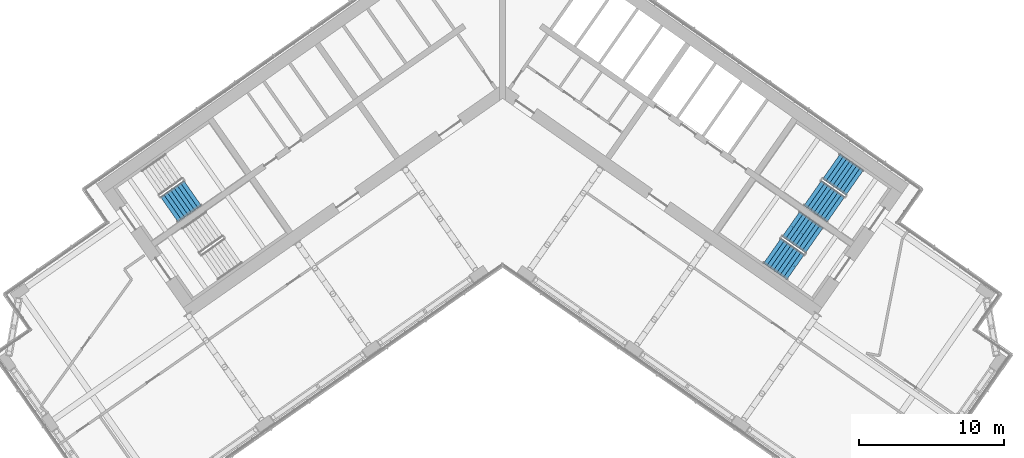
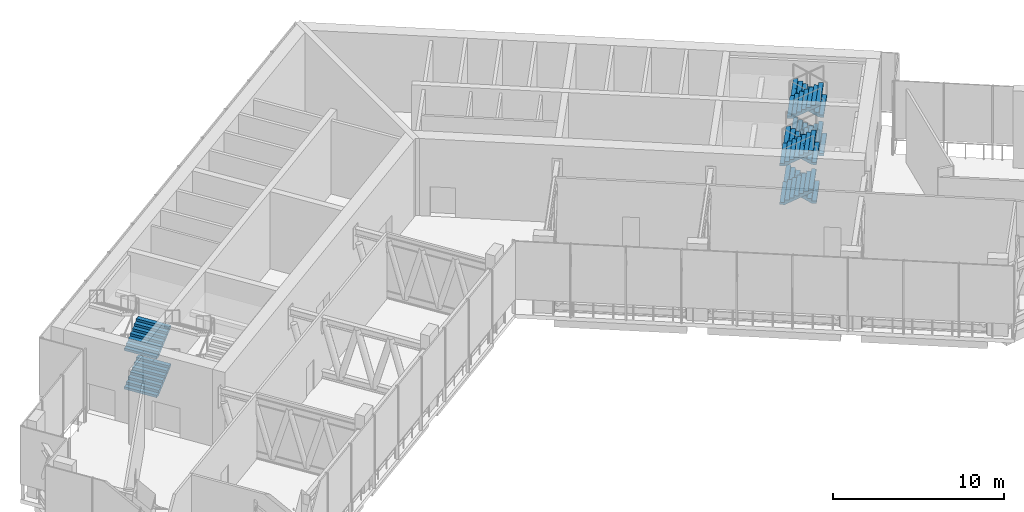
# One storey, part 7 of 19: 10 stair flights, 3 elements without a shape of their own.
"""IFC4 building model written with IfcOpenShell, lengths in metres."""

from ifc_helpers import new_model, si_unit, direction, frame, origin, place, context, subcontext, project, spatial, polyline, outline, extrude, material, type_object, element, aggregate, save


model = new_model("IFC4")

# Units and contexts
model_context = context("Model", 3, precision=1e-05, world=origin(), true_north=direction((0.0, 1.0)))
body_context = subcontext(model_context, "Body", "Model", "MODEL_VIEW")
ifc_project = project(units=[si_unit("LENGTHUNIT", "METRE"), si_unit("AREAUNIT", "SQUARE_METRE"), si_unit("VOLUMEUNIT", "CUBIC_METRE"), si_unit("PLANEANGLEUNIT", "RADIAN"), si_unit("MASSUNIT", "GRAM", prefix="KILO")], contexts=[model_context])

# Site, building, storey
site_placement = place(None, origin())
site = spatial("IfcSite", under=ifc_project, at=site_placement, CompositionType="ELEMENT")
building_placement = place(site_placement, origin())
building = spatial("IfcBuilding", under=site, at=building_placement, Name="Tel Ilan Convention Tower", CompositionType="ELEMENT")
storey_placement = place(building_placement, frame((0.0, 0.0, 213.89990234375)))
storey = spatial("IfcBuildingStorey", under=building, at=storey_placement, Name="L50", CompositionType="ELEMENT", Elevation=213.89990234375)

# Stair, stair flights
ifc_material_1 = material(Name="Concrete C40/50", Category="concrete")
stair_type = type_object("IfcStairType", Name="Pressurised Exit Stair 32 risers 172 mm", PredefinedType="HALF_TURN_STAIR", material=ifc_material_1)
stair_1_placement = place(storey_placement, origin())
stair_1 = element("IfcStair", 1, at=stair_1_placement, inside=storey, type_object=stair_type, Name="L50 Pressurised Stair S1", PredefinedType="HALF_TURN_STAIR")
ifc_material_2 = material(Name="Precast Concrete C40/50", Category="concrete")
stair_flight_type = type_object("IfcStairFlightType", Name="Concrete Stair Flight 2100 mm 32 risers 172 mm", PredefinedType="STRAIGHT", material=ifc_material_2)
stair_flight_1_placement = place(storey_placement, frame((-22.9619140625, -8.87548828125, 0.0), z_axis=(0.0, 0.0, 1.0), x_axis=(0.819152044289, 0.573576436351, 0.0)))
stair_flight_1 = element("IfcStairFlight", 2, at=stair_flight_1_placement, type_object=stair_flight_type, Name="S1 flight 1", NumberOfRisers=8, NumberOfTreads=7, PredefinedType="STRAIGHT", RiserHeight=0.171875, TreadLength=0.28, context=body_context, shape_type="SweptSolid", body=[
    extrude(outline(polyline([(0.0, 0.0), (0.0, 0.171875), (0.280029296875, 0.171875), (0.280029296875, 0.34375), (0.56005859375, 0.34375), (0.56005859375, 0.515625), (0.840087890625, 0.515625), (0.840087890625, 0.6875), (1.1201171875, 0.6875), (1.1201171875, 0.859375), (1.39990234375, 0.859375), (1.39990234375, 1.03125), (1.679931640625, 1.03125), (1.679931640625, 1.203125), (1.9599609375, 1.203125), (1.9599609375, 1.375), (1.9599609375, 1.02734375), (0.28662109375, 0.0), (0.0, 0.0)])), frame((0.0, -0.100341796875, 0.0), z_axis=(0.0, -1.0, 0.0), x_axis=(1.0, 0.0, 0.0)), (0.0, 0.0, 1.0), 0.94970703125),
    extrude(outline(polyline([(0.0, 0.0), (0.0, 0.171875), (0.280029296875, 0.171875), (0.280029296875, 0.34375), (0.56005859375, 0.34375), (0.56005859375, 0.515625), (0.840087890625, 0.515625), (0.840087890625, 0.6875), (1.1201171875, 0.6875), (1.1201171875, 0.859375), (1.39990234375, 0.859375), (1.39990234375, 1.03125), (1.679931640625, 1.03125), (1.679931640625, 1.203125), (1.9599609375, 1.203125), (1.9599609375, 1.375), (1.9599609375, 1.02734375), (0.28662109375, 0.0), (0.0, 0.0)])), frame((0.0, -0.000244140625, 0.0), z_axis=(0.0, -1.0, 0.0), x_axis=(1.0, 0.0, 0.0)), (0.0, 0.0, 1.0), 0.099609375),
    extrude(outline(polyline([(0.0, 0.0), (0.0, 0.171875), (0.280029296875, 0.171875), (0.280029296875, 0.34375), (0.56005859375, 0.34375), (0.56005859375, 0.515625), (0.840087890625, 0.515625), (0.840087890625, 0.6875), (1.1201171875, 0.6875), (1.1201171875, 0.859375), (1.39990234375, 0.859375), (1.39990234375, 1.03125), (1.679931640625, 1.03125), (1.679931640625, 1.203125), (1.9599609375, 1.203125), (1.9599609375, 1.375), (1.9599609375, 1.02734375), (0.28662109375, 0.0), (0.0, 0.0)])), frame((0.0, 0.099853515625, 0.0), z_axis=(0.0, -1.0, 0.0), x_axis=(1.0, 0.0, 0.0)), (0.0, 0.0, 1.0), 0.099609375),
    extrude(outline(polyline([(0.0, 0.0), (0.0, 0.171875), (0.280029296875, 0.171875), (0.280029296875, 0.34375), (0.56005859375, 0.34375), (0.56005859375, 0.515625), (0.840087890625, 0.515625), (0.840087890625, 0.6875), (1.1201171875, 0.6875), (1.1201171875, 0.859375), (1.39990234375, 0.859375), (1.39990234375, 1.03125), (1.679931640625, 1.03125), (1.679931640625, 1.203125), (1.9599609375, 1.203125), (1.9599609375, 1.375), (1.9599609375, 1.02734375), (0.28662109375, 0.0), (0.0, 0.0)])), frame((0.0, 1.050048828125, 0.0), z_axis=(0.0, -1.0, 0.0), x_axis=(1.0, 0.0, 0.0)), (0.0, 0.0, 1.0), 0.94970703125),
])
stair_flight_2_placement = place(storey_placement, frame((-22.9619140625, -8.87548828125, 2.75), z_axis=(0.0, 0.0, 1.0), x_axis=(0.819152044289, 0.573576436351, 0.0)))
stair_flight_2 = element("IfcStairFlight", 3, at=stair_flight_2_placement, type_object=stair_flight_type, Name="S1 flight 3", NumberOfRisers=8, NumberOfTreads=7, PredefinedType="STRAIGHT", RiserHeight=0.171875, TreadLength=0.28, context=body_context, shape_type="SweptSolid", body=[
    extrude(outline(polyline([(0.0, 0.0), (0.0, 0.171875), (0.280029296875, 0.171875), (0.280029296875, 0.34375), (0.56005859375, 0.34375), (0.56005859375, 0.515625), (0.840087890625, 0.515625), (0.840087890625, 0.6875), (1.1201171875, 0.6875), (1.1201171875, 0.859375), (1.39990234375, 0.859375), (1.39990234375, 1.03125), (1.679931640625, 1.03125), (1.679931640625, 1.203125), (1.9599609375, 1.203125), (1.9599609375, 1.375), (1.9599609375, 1.02734375), (0.28662109375, 0.0), (0.0, 0.0)])), frame((0.0, -0.100341796875, 0.0), z_axis=(0.0, -1.0, 0.0), x_axis=(1.0, 0.0, 0.0)), (0.0, 0.0, 1.0), 0.94970703125),
    extrude(outline(polyline([(0.0, 0.0), (0.0, 0.171875), (0.280029296875, 0.171875), (0.280029296875, 0.34375), (0.56005859375, 0.34375), (0.56005859375, 0.515625), (0.840087890625, 0.515625), (0.840087890625, 0.6875), (1.1201171875, 0.6875), (1.1201171875, 0.859375), (1.39990234375, 0.859375), (1.39990234375, 1.03125), (1.679931640625, 1.03125), (1.679931640625, 1.203125), (1.9599609375, 1.203125), (1.9599609375, 1.375), (1.9599609375, 1.02734375), (0.28662109375, 0.0), (0.0, 0.0)])), frame((0.0, -0.000244140625, 0.0), z_axis=(0.0, -1.0, 0.0), x_axis=(1.0, 0.0, 0.0)), (0.0, 0.0, 1.0), 0.099609375),
    extrude(outline(polyline([(0.0, 0.0), (0.0, 0.171875), (0.280029296875, 0.171875), (0.280029296875, 0.34375), (0.56005859375, 0.34375), (0.56005859375, 0.515625), (0.840087890625, 0.515625), (0.840087890625, 0.6875), (1.1201171875, 0.6875), (1.1201171875, 0.859375), (1.39990234375, 0.859375), (1.39990234375, 1.03125), (1.679931640625, 1.03125), (1.679931640625, 1.203125), (1.9599609375, 1.203125), (1.9599609375, 1.375), (1.9599609375, 1.02734375), (0.28662109375, 0.0), (0.0, 0.0)])), frame((0.0, 0.099853515625, 0.0), z_axis=(0.0, -1.0, 0.0), x_axis=(1.0, 0.0, 0.0)), (0.0, 0.0, 1.0), 0.099609375),
    extrude(outline(polyline([(0.0, 0.0), (0.0, 0.171875), (0.280029296875, 0.171875), (0.280029296875, 0.34375), (0.56005859375, 0.34375), (0.56005859375, 0.515625), (0.840087890625, 0.515625), (0.840087890625, 0.6875), (1.1201171875, 0.6875), (1.1201171875, 0.859375), (1.39990234375, 0.859375), (1.39990234375, 1.03125), (1.679931640625, 1.03125), (1.679931640625, 1.203125), (1.9599609375, 1.203125), (1.9599609375, 1.375), (1.9599609375, 1.02734375), (0.28662109375, 0.0), (0.0, 0.0)])), frame((0.0, 1.050048828125, 0.0), z_axis=(0.0, -1.0, 0.0), x_axis=(1.0, 0.0, 0.0)), (0.0, 0.0, 1.0), 0.94970703125),
])
aggregate(stair_1, [stair_flight_1, stair_flight_2])

stair_2_placement = place(storey_placement, origin())
stair_2 = element("IfcStair", 4, at=stair_2_placement, inside=storey, type_object=stair_type, Name="L50 Pressurised Stair S3", PredefinedType="HALF_TURN_STAIR")
stair_flight_3_placement = place(storey_placement, frame((24.25244140625, -7.032470703125, 0.0), z_axis=(0.0, 0.0, 1.0), x_axis=(-0.819152044289, 0.573576436351, 0.0)))
stair_flight_3 = element("IfcStairFlight", 5, at=stair_flight_3_placement, type_object=stair_flight_type, Name="S3 flight 1", NumberOfRisers=8, NumberOfTreads=7, PredefinedType="STRAIGHT", RiserHeight=0.171875, TreadLength=0.28, context=body_context, shape_type="SweptSolid", body=[
    extrude(outline(polyline([(0.0, 0.0), (0.0, 0.171875), (0.280029296875, 0.171875), (0.280029296875, 0.34375), (0.56005859375, 0.34375), (0.56005859375, 0.515625), (0.840087890625, 0.515625), (0.840087890625, 0.6875), (1.1201171875, 0.6875), (1.1201171875, 0.859375), (1.39990234375, 0.859375), (1.39990234375, 1.03125), (1.679931640625, 1.03125), (1.679931640625, 1.203125), (1.9599609375, 1.203125), (1.9599609375, 1.375), (1.9599609375, 1.02734375), (0.28662109375, 0.0), (0.0, 0.0)])), frame((0.0, -0.100341796875, 0.0), z_axis=(0.0, -1.0, 0.0), x_axis=(1.0, 0.0, 0.0)), (0.0, 0.0, 1.0), 0.94970703125),
    extrude(outline(polyline([(0.0, 0.0), (0.0, 0.171875), (0.280029296875, 0.171875), (0.280029296875, 0.34375), (0.56005859375, 0.34375), (0.56005859375, 0.515625), (0.840087890625, 0.515625), (0.840087890625, 0.6875), (1.1201171875, 0.6875), (1.1201171875, 0.859375), (1.39990234375, 0.859375), (1.39990234375, 1.03125), (1.679931640625, 1.03125), (1.679931640625, 1.203125), (1.9599609375, 1.203125), (1.9599609375, 1.375), (1.9599609375, 1.02734375), (0.28662109375, 0.0), (0.0, 0.0)])), frame((0.0, -0.000244140625, 0.0), z_axis=(0.0, -1.0, 0.0), x_axis=(1.0, 0.0, 0.0)), (0.0, 0.0, 1.0), 0.099609375),
    extrude(outline(polyline([(0.0, 0.0), (0.0, 0.171875), (0.280029296875, 0.171875), (0.280029296875, 0.34375), (0.56005859375, 0.34375), (0.56005859375, 0.515625), (0.840087890625, 0.515625), (0.840087890625, 0.6875), (1.1201171875, 0.6875), (1.1201171875, 0.859375), (1.39990234375, 0.859375), (1.39990234375, 1.03125), (1.679931640625, 1.03125), (1.679931640625, 1.203125), (1.9599609375, 1.203125), (1.9599609375, 1.375), (1.9599609375, 1.02734375), (0.28662109375, 0.0), (0.0, 0.0)])), frame((0.0, 0.099853515625, 0.0), z_axis=(0.0, -1.0, 0.0), x_axis=(1.0, 0.0, 0.0)), (0.0, 0.0, 1.0), 0.099609375),
    extrude(outline(polyline([(0.0, 0.0), (0.0, 0.171875), (0.280029296875, 0.171875), (0.280029296875, 0.34375), (0.56005859375, 0.34375), (0.56005859375, 0.515625), (0.840087890625, 0.515625), (0.840087890625, 0.6875), (1.1201171875, 0.6875), (1.1201171875, 0.859375), (1.39990234375, 0.859375), (1.39990234375, 1.03125), (1.679931640625, 1.03125), (1.679931640625, 1.203125), (1.9599609375, 1.203125), (1.9599609375, 1.375), (1.9599609375, 1.02734375), (0.28662109375, 0.0), (0.0, 0.0)])), frame((0.0, 1.050048828125, 0.0), z_axis=(0.0, -1.0, 0.0), x_axis=(1.0, 0.0, 0.0)), (0.0, 0.0, 1.0), 0.94970703125),
])
stair_flight_4_placement = place(storey_placement, frame((21.356201171875, -7.751220703125, 1.375), z_axis=(0.0, 0.0, 1.0), x_axis=(0.819152044289, -0.573576436351, 0.0)))
stair_flight_4 = element("IfcStairFlight", 6, at=stair_flight_4_placement, type_object=stair_flight_type, Name="S3 flight 2", NumberOfRisers=8, NumberOfTreads=7, PredefinedType="STRAIGHT", RiserHeight=0.171875, TreadLength=0.28, context=body_context, shape_type="SweptSolid", body=[
    extrude(outline(polyline([(0.0, 0.0), (0.0, 0.171875), (0.280029296875, 0.171875), (0.280029296875, 0.34375), (0.56005859375, 0.34375), (0.56005859375, 0.515625), (0.840087890625, 0.515625), (0.840087890625, 0.6875), (1.1201171875, 0.6875), (1.1201171875, 0.859375), (1.39990234375, 0.859375), (1.39990234375, 1.03125), (1.679931640625, 1.03125), (1.679931640625, 1.203125), (1.9599609375, 1.203125), (1.9599609375, 1.375), (1.9599609375, 1.02734375), (0.28662109375, 0.0), (0.0, 0.0)])), frame((0.0, -0.100341796875, 0.0), z_axis=(0.0, -1.0, 0.0), x_axis=(1.0, 0.0, 0.0)), (0.0, 0.0, 1.0), 0.94970703125),
    extrude(outline(polyline([(0.0, 0.0), (0.0, 0.171875), (0.280029296875, 0.171875), (0.280029296875, 0.34375), (0.56005859375, 0.34375), (0.56005859375, 0.515625), (0.840087890625, 0.515625), (0.840087890625, 0.6875), (1.1201171875, 0.6875), (1.1201171875, 0.859375), (1.39990234375, 0.859375), (1.39990234375, 1.03125), (1.679931640625, 1.03125), (1.679931640625, 1.203125), (1.9599609375, 1.203125), (1.9599609375, 1.375), (1.9599609375, 1.02734375), (0.28662109375, 0.0), (0.0, 0.0)])), frame((0.0, -0.000244140625, 0.0), z_axis=(0.0, -1.0, 0.0), x_axis=(1.0, 0.0, 0.0)), (0.0, 0.0, 1.0), 0.099609375),
    extrude(outline(polyline([(0.0, 0.0), (0.0, 0.171875), (0.280029296875, 0.171875), (0.280029296875, 0.34375), (0.56005859375, 0.34375), (0.56005859375, 0.515625), (0.840087890625, 0.515625), (0.840087890625, 0.6875), (1.1201171875, 0.6875), (1.1201171875, 0.859375), (1.39990234375, 0.859375), (1.39990234375, 1.03125), (1.679931640625, 1.03125), (1.679931640625, 1.203125), (1.9599609375, 1.203125), (1.9599609375, 1.375), (1.9599609375, 1.02734375), (0.28662109375, 0.0), (0.0, 0.0)])), frame((0.0, 0.099853515625, 0.0), z_axis=(0.0, -1.0, 0.0), x_axis=(1.0, 0.0, 0.0)), (0.0, 0.0, 1.0), 0.099609375),
    extrude(outline(polyline([(0.0, 0.0), (0.0, 0.171875), (0.280029296875, 0.171875), (0.280029296875, 0.34375), (0.56005859375, 0.34375), (0.56005859375, 0.515625), (0.840087890625, 0.515625), (0.840087890625, 0.6875), (1.1201171875, 0.6875), (1.1201171875, 0.859375), (1.39990234375, 0.859375), (1.39990234375, 1.03125), (1.679931640625, 1.03125), (1.679931640625, 1.203125), (1.9599609375, 1.203125), (1.9599609375, 1.375), (1.9599609375, 1.02734375), (0.28662109375, 0.0), (0.0, 0.0)])), frame((0.0, 1.050048828125, 0.0), z_axis=(0.0, -1.0, 0.0), x_axis=(1.0, 0.0, 0.0)), (0.0, 0.0, 1.0), 0.94970703125),
])
stair_flight_5_placement = place(storey_placement, frame((24.25244140625, -7.032470703125, 2.75), z_axis=(0.0, 0.0, 1.0), x_axis=(-0.819152044289, 0.573576436351, 0.0)))
stair_flight_5 = element("IfcStairFlight", 7, at=stair_flight_5_placement, type_object=stair_flight_type, Name="S3 flight 3", NumberOfRisers=8, NumberOfTreads=7, PredefinedType="STRAIGHT", RiserHeight=0.171875, TreadLength=0.28, context=body_context, shape_type="SweptSolid", body=[
    extrude(outline(polyline([(0.0, 0.0), (0.0, 0.171875), (0.280029296875, 0.171875), (0.280029296875, 0.34375), (0.56005859375, 0.34375), (0.56005859375, 0.515625), (0.840087890625, 0.515625), (0.840087890625, 0.6875), (1.1201171875, 0.6875), (1.1201171875, 0.859375), (1.39990234375, 0.859375), (1.39990234375, 1.03125), (1.679931640625, 1.03125), (1.679931640625, 1.203125), (1.9599609375, 1.203125), (1.9599609375, 1.375), (1.9599609375, 1.02734375), (0.28662109375, 0.0), (0.0, 0.0)])), frame((0.0, -0.100341796875, 0.0), z_axis=(0.0, -1.0, 0.0), x_axis=(1.0, 0.0, 0.0)), (0.0, 0.0, 1.0), 0.94970703125),
    extrude(outline(polyline([(0.0, 0.0), (0.0, 0.171875), (0.280029296875, 0.171875), (0.280029296875, 0.34375), (0.56005859375, 0.34375), (0.56005859375, 0.515625), (0.840087890625, 0.515625), (0.840087890625, 0.6875), (1.1201171875, 0.6875), (1.1201171875, 0.859375), (1.39990234375, 0.859375), (1.39990234375, 1.03125), (1.679931640625, 1.03125), (1.679931640625, 1.203125), (1.9599609375, 1.203125), (1.9599609375, 1.375), (1.9599609375, 1.02734375), (0.28662109375, 0.0), (0.0, 0.0)])), frame((0.0, -0.000244140625, 0.0), z_axis=(0.0, -1.0, 0.0), x_axis=(1.0, 0.0, 0.0)), (0.0, 0.0, 1.0), 0.099609375),
    extrude(outline(polyline([(0.0, 0.0), (0.0, 0.171875), (0.280029296875, 0.171875), (0.280029296875, 0.34375), (0.56005859375, 0.34375), (0.56005859375, 0.515625), (0.840087890625, 0.515625), (0.840087890625, 0.6875), (1.1201171875, 0.6875), (1.1201171875, 0.859375), (1.39990234375, 0.859375), (1.39990234375, 1.03125), (1.679931640625, 1.03125), (1.679931640625, 1.203125), (1.9599609375, 1.203125), (1.9599609375, 1.375), (1.9599609375, 1.02734375), (0.28662109375, 0.0), (0.0, 0.0)])), frame((0.0, 0.099853515625, 0.0), z_axis=(0.0, -1.0, 0.0), x_axis=(1.0, 0.0, 0.0)), (0.0, 0.0, 1.0), 0.099609375),
    extrude(outline(polyline([(0.0, 0.0), (0.0, 0.171875), (0.280029296875, 0.171875), (0.280029296875, 0.34375), (0.56005859375, 0.34375), (0.56005859375, 0.515625), (0.840087890625, 0.515625), (0.840087890625, 0.6875), (1.1201171875, 0.6875), (1.1201171875, 0.859375), (1.39990234375, 0.859375), (1.39990234375, 1.03125), (1.679931640625, 1.03125), (1.679931640625, 1.203125), (1.9599609375, 1.203125), (1.9599609375, 1.375), (1.9599609375, 1.02734375), (0.28662109375, 0.0), (0.0, 0.0)])), frame((0.0, 1.050048828125, 0.0), z_axis=(0.0, -1.0, 0.0), x_axis=(1.0, 0.0, 0.0)), (0.0, 0.0, 1.0), 0.94970703125),
])
stair_flight_6_placement = place(storey_placement, frame((21.356201171875, -7.751220703125, 4.125), z_axis=(0.0, 0.0, 1.0), x_axis=(0.819152044289, -0.573576436351, 0.0)))
stair_flight_6 = element("IfcStairFlight", 8, at=stair_flight_6_placement, type_object=stair_flight_type, Name="S3 flight 4", NumberOfRisers=8, NumberOfTreads=7, PredefinedType="STRAIGHT", RiserHeight=0.171875, TreadLength=0.28, context=body_context, shape_type="SweptSolid", body=[
    extrude(outline(polyline([(0.0, 0.0), (0.0, 0.171875), (0.280029296875, 0.171875), (0.280029296875, 0.34375), (0.56005859375, 0.34375), (0.56005859375, 0.515625), (0.840087890625, 0.515625), (0.840087890625, 0.6875), (1.1201171875, 0.6875), (1.1201171875, 0.859375), (1.39990234375, 0.859375), (1.39990234375, 1.03125), (1.679931640625, 1.03125), (1.679931640625, 1.203125), (1.9599609375, 1.203125), (1.9599609375, 1.375), (1.9599609375, 1.02734375), (0.28662109375, 0.0), (0.0, 0.0)])), frame((0.0, -0.100341796875, 0.0), z_axis=(0.0, -1.0, 0.0), x_axis=(1.0, 0.0, 0.0)), (0.0, 0.0, 1.0), 0.94970703125),
    extrude(outline(polyline([(0.0, 0.0), (0.0, 0.171875), (0.280029296875, 0.171875), (0.280029296875, 0.34375), (0.56005859375, 0.34375), (0.56005859375, 0.515625), (0.840087890625, 0.515625), (0.840087890625, 0.6875), (1.1201171875, 0.6875), (1.1201171875, 0.859375), (1.39990234375, 0.859375), (1.39990234375, 1.03125), (1.679931640625, 1.03125), (1.679931640625, 1.203125), (1.9599609375, 1.203125), (1.9599609375, 1.375), (1.9599609375, 1.02734375), (0.28662109375, 0.0), (0.0, 0.0)])), frame((0.0, -0.000244140625, 0.0), z_axis=(0.0, -1.0, 0.0), x_axis=(1.0, 0.0, 0.0)), (0.0, 0.0, 1.0), 0.099609375),
    extrude(outline(polyline([(0.0, 0.0), (0.0, 0.171875), (0.280029296875, 0.171875), (0.280029296875, 0.34375), (0.56005859375, 0.34375), (0.56005859375, 0.515625), (0.840087890625, 0.515625), (0.840087890625, 0.6875), (1.1201171875, 0.6875), (1.1201171875, 0.859375), (1.39990234375, 0.859375), (1.39990234375, 1.03125), (1.679931640625, 1.03125), (1.679931640625, 1.203125), (1.9599609375, 1.203125), (1.9599609375, 1.375), (1.9599609375, 1.02734375), (0.28662109375, 0.0), (0.0, 0.0)])), frame((0.0, 0.099853515625, 0.0), z_axis=(0.0, -1.0, 0.0), x_axis=(1.0, 0.0, 0.0)), (0.0, 0.0, 1.0), 0.099609375),
    extrude(outline(polyline([(0.0, 0.0), (0.0, 0.171875), (0.280029296875, 0.171875), (0.280029296875, 0.34375), (0.56005859375, 0.34375), (0.56005859375, 0.515625), (0.840087890625, 0.515625), (0.840087890625, 0.6875), (1.1201171875, 0.6875), (1.1201171875, 0.859375), (1.39990234375, 0.859375), (1.39990234375, 1.03125), (1.679931640625, 1.03125), (1.679931640625, 1.203125), (1.9599609375, 1.203125), (1.9599609375, 1.375), (1.9599609375, 1.02734375), (0.28662109375, 0.0), (0.0, 0.0)])), frame((0.0, 1.050048828125, 0.0), z_axis=(0.0, -1.0, 0.0), x_axis=(1.0, 0.0, 0.0)), (0.0, 0.0, 1.0), 0.94970703125),
])
aggregate(stair_2, [stair_flight_3, stair_flight_4, stair_flight_5, stair_flight_6])

stair_3_placement = place(storey_placement, origin())
stair_3 = element("IfcStair", 9, at=stair_3_placement, inside=storey, type_object=stair_type, Name="L50 Pressurised Stair S4", PredefinedType="HALF_TURN_STAIR")
stair_flight_7_placement = place(storey_placement, frame((21.470458984375, -11.00537109375, 0.0), z_axis=(0.0, 0.0, 1.0), x_axis=(-0.819152044289, 0.573576436351, 0.0)))
stair_flight_7 = element("IfcStairFlight", 10, at=stair_flight_7_placement, type_object=stair_flight_type, Name="S4 flight 1", NumberOfRisers=8, NumberOfTreads=7, PredefinedType="STRAIGHT", RiserHeight=0.171875, TreadLength=0.28, context=body_context, shape_type="SweptSolid", body=[
    extrude(outline(polyline([(0.0, 0.0), (0.0, 0.171875), (0.280029296875, 0.171875), (0.280029296875, 0.34375), (0.56005859375, 0.34375), (0.56005859375, 0.515625), (0.840087890625, 0.515625), (0.840087890625, 0.6875), (1.1201171875, 0.6875), (1.1201171875, 0.859375), (1.39990234375, 0.859375), (1.39990234375, 1.03125), (1.679931640625, 1.03125), (1.679931640625, 1.203125), (1.9599609375, 1.203125), (1.9599609375, 1.375), (1.9599609375, 1.02734375), (0.28662109375, 0.0), (0.0, 0.0)])), frame((0.0, -0.100341796875, 0.0), z_axis=(0.0, -1.0, 0.0), x_axis=(1.0, 0.0, 0.0)), (0.0, 0.0, 1.0), 0.94970703125),
    extrude(outline(polyline([(0.0, 0.0), (0.0, 0.171875), (0.280029296875, 0.171875), (0.280029296875, 0.34375), (0.56005859375, 0.34375), (0.56005859375, 0.515625), (0.840087890625, 0.515625), (0.840087890625, 0.6875), (1.1201171875, 0.6875), (1.1201171875, 0.859375), (1.39990234375, 0.859375), (1.39990234375, 1.03125), (1.679931640625, 1.03125), (1.679931640625, 1.203125), (1.9599609375, 1.203125), (1.9599609375, 1.375), (1.9599609375, 1.02734375), (0.28662109375, 0.0), (0.0, 0.0)])), frame((0.0, -0.000244140625, 0.0), z_axis=(0.0, -1.0, 0.0), x_axis=(1.0, 0.0, 0.0)), (0.0, 0.0, 1.0), 0.099609375),
    extrude(outline(polyline([(0.0, 0.0), (0.0, 0.171875), (0.280029296875, 0.171875), (0.280029296875, 0.34375), (0.56005859375, 0.34375), (0.56005859375, 0.515625), (0.840087890625, 0.515625), (0.840087890625, 0.6875), (1.1201171875, 0.6875), (1.1201171875, 0.859375), (1.39990234375, 0.859375), (1.39990234375, 1.03125), (1.679931640625, 1.03125), (1.679931640625, 1.203125), (1.9599609375, 1.203125), (1.9599609375, 1.375), (1.9599609375, 1.02734375), (0.28662109375, 0.0), (0.0, 0.0)])), frame((0.0, 0.099853515625, 0.0), z_axis=(0.0, -1.0, 0.0), x_axis=(1.0, 0.0, 0.0)), (0.0, 0.0, 1.0), 0.099609375),
    extrude(outline(polyline([(0.0, 0.0), (0.0, 0.171875), (0.280029296875, 0.171875), (0.280029296875, 0.34375), (0.56005859375, 0.34375), (0.56005859375, 0.515625), (0.840087890625, 0.515625), (0.840087890625, 0.6875), (1.1201171875, 0.6875), (1.1201171875, 0.859375), (1.39990234375, 0.859375), (1.39990234375, 1.03125), (1.679931640625, 1.03125), (1.679931640625, 1.203125), (1.9599609375, 1.203125), (1.9599609375, 1.375), (1.9599609375, 1.02734375), (0.28662109375, 0.0), (0.0, 0.0)])), frame((0.0, 1.050048828125, 0.0), z_axis=(0.0, -1.0, 0.0), x_axis=(1.0, 0.0, 0.0)), (0.0, 0.0, 1.0), 0.94970703125),
])
stair_flight_8_placement = place(storey_placement, frame((18.574462890625, -11.72412109375, 1.375), z_axis=(0.0, 0.0, 1.0), x_axis=(0.819152044289, -0.573576436351, 0.0)))
stair_flight_8 = element("IfcStairFlight", 11, at=stair_flight_8_placement, type_object=stair_flight_type, Name="S4 flight 2", NumberOfRisers=8, NumberOfTreads=7, PredefinedType="STRAIGHT", RiserHeight=0.171875, TreadLength=0.28, context=body_context, shape_type="SweptSolid", body=[
    extrude(outline(polyline([(0.0, 0.0), (0.0, 0.171875), (0.280029296875, 0.171875), (0.280029296875, 0.34375), (0.56005859375, 0.34375), (0.56005859375, 0.515625), (0.840087890625, 0.515625), (0.840087890625, 0.6875), (1.1201171875, 0.6875), (1.1201171875, 0.859375), (1.39990234375, 0.859375), (1.39990234375, 1.03125), (1.679931640625, 1.03125), (1.679931640625, 1.203125), (1.9599609375, 1.203125), (1.9599609375, 1.375), (1.9599609375, 1.02734375), (0.28662109375, 0.0), (0.0, 0.0)])), frame((0.0, -0.100341796875, 0.0), z_axis=(0.0, -1.0, 0.0), x_axis=(1.0, 0.0, 0.0)), (0.0, 0.0, 1.0), 0.94970703125),
    extrude(outline(polyline([(0.0, 0.0), (0.0, 0.171875), (0.280029296875, 0.171875), (0.280029296875, 0.34375), (0.56005859375, 0.34375), (0.56005859375, 0.515625), (0.840087890625, 0.515625), (0.840087890625, 0.6875), (1.1201171875, 0.6875), (1.1201171875, 0.859375), (1.39990234375, 0.859375), (1.39990234375, 1.03125), (1.679931640625, 1.03125), (1.679931640625, 1.203125), (1.9599609375, 1.203125), (1.9599609375, 1.375), (1.9599609375, 1.02734375), (0.28662109375, 0.0), (0.0, 0.0)])), frame((0.0, -0.000244140625, 0.0), z_axis=(0.0, -1.0, 0.0), x_axis=(1.0, 0.0, 0.0)), (0.0, 0.0, 1.0), 0.099609375),
    extrude(outline(polyline([(0.0, 0.0), (0.0, 0.171875), (0.280029296875, 0.171875), (0.280029296875, 0.34375), (0.56005859375, 0.34375), (0.56005859375, 0.515625), (0.840087890625, 0.515625), (0.840087890625, 0.6875), (1.1201171875, 0.6875), (1.1201171875, 0.859375), (1.39990234375, 0.859375), (1.39990234375, 1.03125), (1.679931640625, 1.03125), (1.679931640625, 1.203125), (1.9599609375, 1.203125), (1.9599609375, 1.375), (1.9599609375, 1.02734375), (0.28662109375, 0.0), (0.0, 0.0)])), frame((0.0, 0.099853515625, 0.0), z_axis=(0.0, -1.0, 0.0), x_axis=(1.0, 0.0, 0.0)), (0.0, 0.0, 1.0), 0.099609375),
    extrude(outline(polyline([(0.0, 0.0), (0.0, 0.171875), (0.280029296875, 0.171875), (0.280029296875, 0.34375), (0.56005859375, 0.34375), (0.56005859375, 0.515625), (0.840087890625, 0.515625), (0.840087890625, 0.6875), (1.1201171875, 0.6875), (1.1201171875, 0.859375), (1.39990234375, 0.859375), (1.39990234375, 1.03125), (1.679931640625, 1.03125), (1.679931640625, 1.203125), (1.9599609375, 1.203125), (1.9599609375, 1.375), (1.9599609375, 1.02734375), (0.28662109375, 0.0), (0.0, 0.0)])), frame((0.0, 1.050048828125, 0.0), z_axis=(0.0, -1.0, 0.0), x_axis=(1.0, 0.0, 0.0)), (0.0, 0.0, 1.0), 0.94970703125),
])
stair_flight_9_placement = place(storey_placement, frame((21.470458984375, -11.00537109375, 2.75), z_axis=(0.0, 0.0, 1.0), x_axis=(-0.819152044289, 0.573576436351, 0.0)))
stair_flight_9 = element("IfcStairFlight", 12, at=stair_flight_9_placement, type_object=stair_flight_type, Name="S4 flight 3", NumberOfRisers=8, NumberOfTreads=7, PredefinedType="STRAIGHT", RiserHeight=0.171875, TreadLength=0.28, context=body_context, shape_type="SweptSolid", body=[
    extrude(outline(polyline([(0.0, 0.0), (0.0, 0.171875), (0.280029296875, 0.171875), (0.280029296875, 0.34375), (0.56005859375, 0.34375), (0.56005859375, 0.515625), (0.840087890625, 0.515625), (0.840087890625, 0.6875), (1.1201171875, 0.6875), (1.1201171875, 0.859375), (1.39990234375, 0.859375), (1.39990234375, 1.03125), (1.679931640625, 1.03125), (1.679931640625, 1.203125), (1.9599609375, 1.203125), (1.9599609375, 1.375), (1.9599609375, 1.02734375), (0.28662109375, 0.0), (0.0, 0.0)])), frame((0.0, -0.100341796875, 0.0), z_axis=(0.0, -1.0, 0.0), x_axis=(1.0, 0.0, 0.0)), (0.0, 0.0, 1.0), 0.94970703125),
    extrude(outline(polyline([(0.0, 0.0), (0.0, 0.171875), (0.280029296875, 0.171875), (0.280029296875, 0.34375), (0.56005859375, 0.34375), (0.56005859375, 0.515625), (0.840087890625, 0.515625), (0.840087890625, 0.6875), (1.1201171875, 0.6875), (1.1201171875, 0.859375), (1.39990234375, 0.859375), (1.39990234375, 1.03125), (1.679931640625, 1.03125), (1.679931640625, 1.203125), (1.9599609375, 1.203125), (1.9599609375, 1.375), (1.9599609375, 1.02734375), (0.28662109375, 0.0), (0.0, 0.0)])), frame((0.0, -0.000244140625, 0.0), z_axis=(0.0, -1.0, 0.0), x_axis=(1.0, 0.0, 0.0)), (0.0, 0.0, 1.0), 0.099609375),
    extrude(outline(polyline([(0.0, 0.0), (0.0, 0.171875), (0.280029296875, 0.171875), (0.280029296875, 0.34375), (0.56005859375, 0.34375), (0.56005859375, 0.515625), (0.840087890625, 0.515625), (0.840087890625, 0.6875), (1.1201171875, 0.6875), (1.1201171875, 0.859375), (1.39990234375, 0.859375), (1.39990234375, 1.03125), (1.679931640625, 1.03125), (1.679931640625, 1.203125), (1.9599609375, 1.203125), (1.9599609375, 1.375), (1.9599609375, 1.02734375), (0.28662109375, 0.0), (0.0, 0.0)])), frame((0.0, 0.099853515625, 0.0), z_axis=(0.0, -1.0, 0.0), x_axis=(1.0, 0.0, 0.0)), (0.0, 0.0, 1.0), 0.099609375),
    extrude(outline(polyline([(0.0, 0.0), (0.0, 0.171875), (0.280029296875, 0.171875), (0.280029296875, 0.34375), (0.56005859375, 0.34375), (0.56005859375, 0.515625), (0.840087890625, 0.515625), (0.840087890625, 0.6875), (1.1201171875, 0.6875), (1.1201171875, 0.859375), (1.39990234375, 0.859375), (1.39990234375, 1.03125), (1.679931640625, 1.03125), (1.679931640625, 1.203125), (1.9599609375, 1.203125), (1.9599609375, 1.375), (1.9599609375, 1.02734375), (0.28662109375, 0.0), (0.0, 0.0)])), frame((0.0, 1.050048828125, 0.0), z_axis=(0.0, -1.0, 0.0), x_axis=(1.0, 0.0, 0.0)), (0.0, 0.0, 1.0), 0.94970703125),
])
stair_flight_10_placement = place(storey_placement, frame((18.574462890625, -11.72412109375, 4.125), z_axis=(0.0, 0.0, 1.0), x_axis=(0.819152044289, -0.573576436351, 0.0)))
stair_flight_10 = element("IfcStairFlight", 13, at=stair_flight_10_placement, type_object=stair_flight_type, Name="S4 flight 4", NumberOfRisers=8, NumberOfTreads=7, PredefinedType="STRAIGHT", RiserHeight=0.171875, TreadLength=0.28, context=body_context, shape_type="SweptSolid", body=[
    extrude(outline(polyline([(0.0, 0.0), (0.0, 0.171875), (0.280029296875, 0.171875), (0.280029296875, 0.34375), (0.56005859375, 0.34375), (0.56005859375, 0.515625), (0.840087890625, 0.515625), (0.840087890625, 0.6875), (1.1201171875, 0.6875), (1.1201171875, 0.859375), (1.39990234375, 0.859375), (1.39990234375, 1.03125), (1.679931640625, 1.03125), (1.679931640625, 1.203125), (1.9599609375, 1.203125), (1.9599609375, 1.375), (1.9599609375, 1.02734375), (0.28662109375, 0.0), (0.0, 0.0)])), frame((0.0, -0.100341796875, 0.0), z_axis=(0.0, -1.0, 0.0), x_axis=(1.0, 0.0, 0.0)), (0.0, 0.0, 1.0), 0.94970703125),
    extrude(outline(polyline([(0.0, 0.0), (0.0, 0.171875), (0.280029296875, 0.171875), (0.280029296875, 0.34375), (0.56005859375, 0.34375), (0.56005859375, 0.515625), (0.840087890625, 0.515625), (0.840087890625, 0.6875), (1.1201171875, 0.6875), (1.1201171875, 0.859375), (1.39990234375, 0.859375), (1.39990234375, 1.03125), (1.679931640625, 1.03125), (1.679931640625, 1.203125), (1.9599609375, 1.203125), (1.9599609375, 1.375), (1.9599609375, 1.02734375), (0.28662109375, 0.0), (0.0, 0.0)])), frame((0.0, -0.000244140625, 0.0), z_axis=(0.0, -1.0, 0.0), x_axis=(1.0, 0.0, 0.0)), (0.0, 0.0, 1.0), 0.099609375),
    extrude(outline(polyline([(0.0, 0.0), (0.0, 0.171875), (0.280029296875, 0.171875), (0.280029296875, 0.34375), (0.56005859375, 0.34375), (0.56005859375, 0.515625), (0.840087890625, 0.515625), (0.840087890625, 0.6875), (1.1201171875, 0.6875), (1.1201171875, 0.859375), (1.39990234375, 0.859375), (1.39990234375, 1.03125), (1.679931640625, 1.03125), (1.679931640625, 1.203125), (1.9599609375, 1.203125), (1.9599609375, 1.375), (1.9599609375, 1.02734375), (0.28662109375, 0.0), (0.0, 0.0)])), frame((0.0, 0.099853515625, 0.0), z_axis=(0.0, -1.0, 0.0), x_axis=(1.0, 0.0, 0.0)), (0.0, 0.0, 1.0), 0.099609375),
    extrude(outline(polyline([(0.0, 0.0), (0.0, 0.171875), (0.280029296875, 0.171875), (0.280029296875, 0.34375), (0.56005859375, 0.34375), (0.56005859375, 0.515625), (0.840087890625, 0.515625), (0.840087890625, 0.6875), (1.1201171875, 0.6875), (1.1201171875, 0.859375), (1.39990234375, 0.859375), (1.39990234375, 1.03125), (1.679931640625, 1.03125), (1.679931640625, 1.203125), (1.9599609375, 1.203125), (1.9599609375, 1.375), (1.9599609375, 1.02734375), (0.28662109375, 0.0), (0.0, 0.0)])), frame((0.0, 1.050048828125, 0.0), z_axis=(0.0, -1.0, 0.0), x_axis=(1.0, 0.0, 0.0)), (0.0, 0.0, 1.0), 0.94970703125),
])
aggregate(stair_3, [stair_flight_7, stair_flight_8, stair_flight_9, stair_flight_10])

save(model, "model.ifc")
